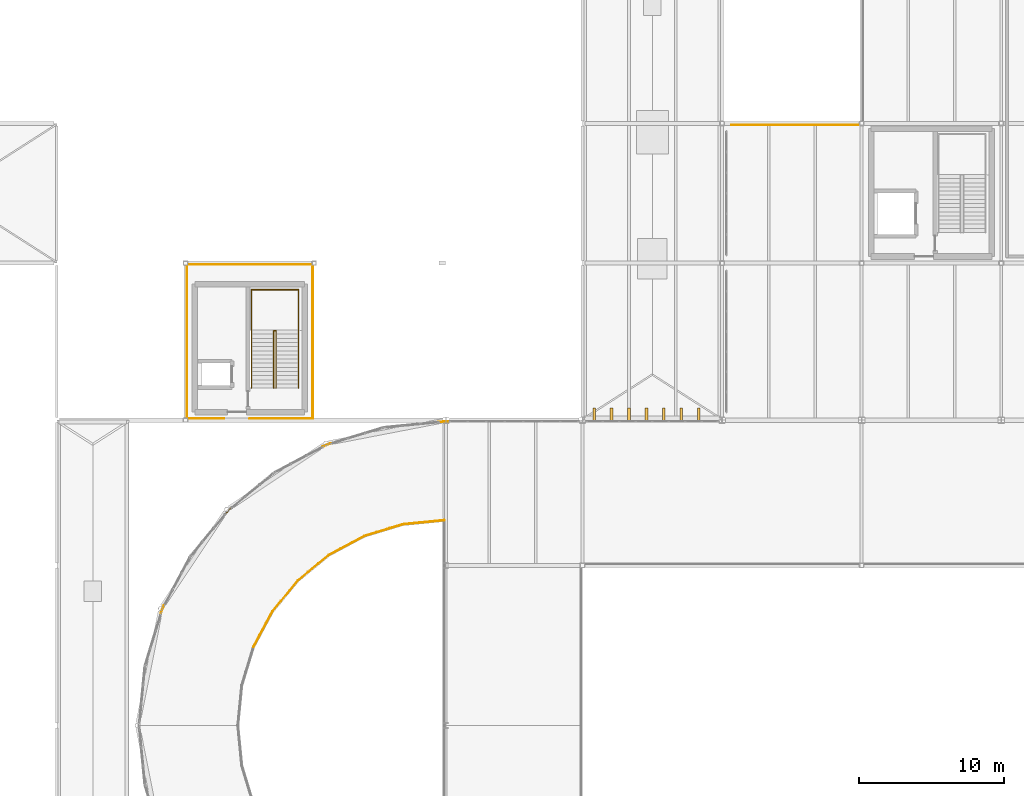
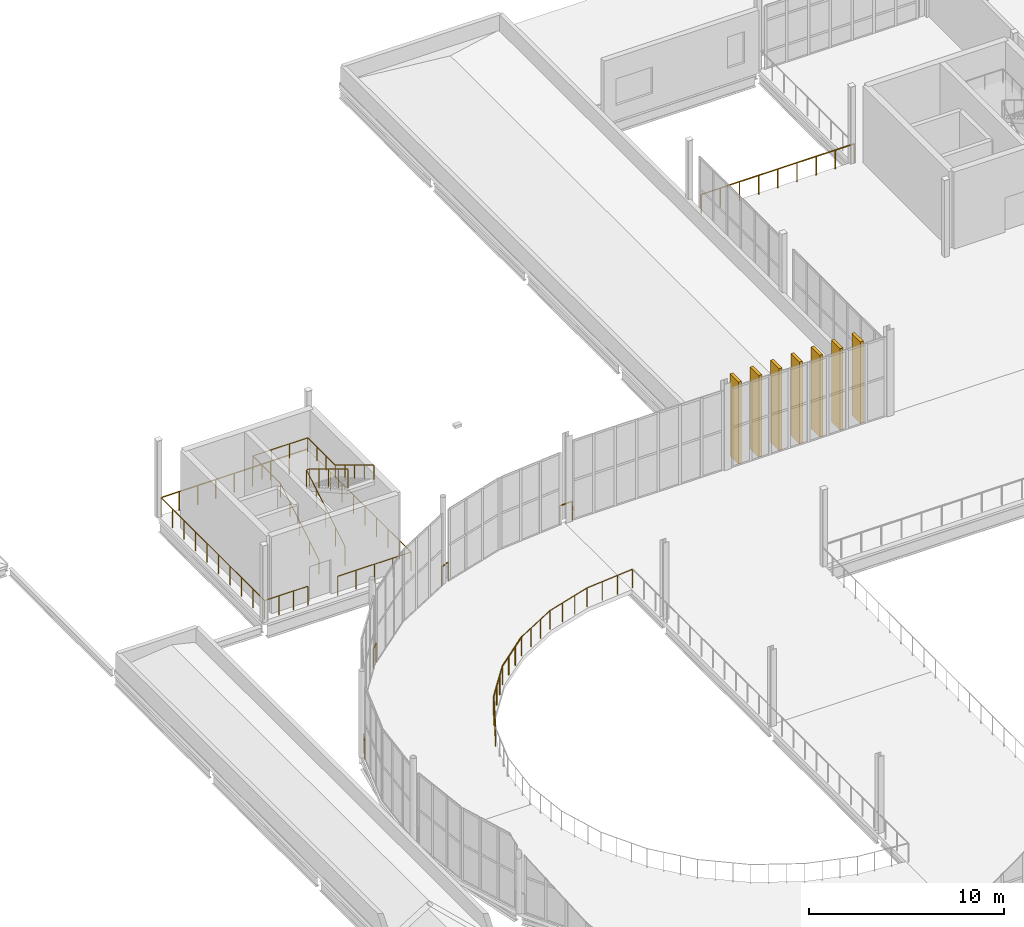
# One storey, part 107 of 112: 18 railings, 7 coverings.
"""IFC4 building model written with IfcOpenShell, lengths in metres."""

from ifc_helpers import new_model, si_unit, direction, frame, origin, origin_2d, place, context, subcontext, project, spatial, rectangle, circle, extrude, material, layer, layer_set, type_object, element, save


model = new_model("IFC4")

# Units and contexts
model_context = context("Model", 3, precision=1e-05, world=origin(), true_north=direction((0.0, 1.0)))
body_context = subcontext(model_context, "Body", "Model", "MODEL_VIEW")
ifc_project = project(units=[si_unit("LENGTHUNIT", "METRE"), si_unit("AREAUNIT", "SQUARE_METRE"), si_unit("VOLUMEUNIT", "CUBIC_METRE"), si_unit("PLANEANGLEUNIT", "RADIAN"), si_unit("MASSUNIT", "GRAM", prefix="KILO")], contexts=[model_context])

# Site, building, storey
site_placement = place(None, origin())
site = spatial("IfcSite", under=ifc_project, at=site_placement, CompositionType="ELEMENT")
building_placement = place(site_placement, origin())
building = spatial("IfcBuilding", under=site, at=building_placement, Name="Yeouljin Market Hall", CompositionType="ELEMENT")
storey_placement = place(building_placement, frame((0.0, 0.0, 6.0)))
storey = spatial("IfcBuildingStorey", under=building, at=storey_placement, Name="L01", CompositionType="ELEMENT", Elevation=6.0)

# Coverings
ifc_material_1 = material(Name="White Limestone and Bronze Solar Fin", Category="masonry")
ifc_layer = layer(ifc_material_1, 0.179931640625)
ifc_layer_set = layer_set([ifc_layer], Name="White Limestone and Bronze Solar Fin")
covering_type = type_object("IfcCoveringType", Name="Covering_Limestone_SolarFin", PredefinedType="CLADDING", material=ifc_layer_set)
for number, where, z_axis, x_axis, name in (
    (1, (45.800048828125, 78.39990234375, 0.009765625), (0.0, 0.0, 1.0), (1.0, 0.0, 0.0), "Hall north vertical lantern fin 018"),
    (2, (47.0, 78.39990234375, 0.009765625), (0.0, 0.0, 1.0), (1.0, 0.0, 0.0), "Hall north vertical lantern fin 019"),
    (3, (48.199951171875, 78.39990234375, 0.009765625), (0.0, 0.0, 1.0), (1.0, 0.0, 0.0), "Hall north vertical lantern fin 020"),
    (4, (49.39990234375, 78.39990234375, 0.009765625), (0.0, 0.0, 1.0), (1.0, 0.0, 0.0), "Hall north vertical lantern fin 021"),
    (5, (50.60009765625, 78.39990234375, 0.009765625), (0.0, 0.0, 1.0), (1.0, 0.0, 0.0), "Hall north vertical lantern fin 022"),
    (6, (51.800048828125, 78.39990234375, 0.009765625), (0.0, 0.0, 1.0), (1.0, 0.0, 0.0), "Hall north vertical lantern fin 023"),
    (7, (53.0, 78.39990234375, 0.009765625), (0.0, 0.0, 1.0), (1.0, 0.0, 0.0), "Hall north vertical lantern fin 024"),
):
    element("IfcCovering", number, at=place(storey_placement, frame(where, z_axis=z_axis, x_axis=x_axis)), inside=storey, type_object=covering_type, Name=name, PredefinedType="CLADDING", context=body_context, shape_type="SweptSolid", body=[
        extrude(rectangle(XDim=0.179931640625, YDim=0.8798828125, at=origin_2d()), origin(), (0.0, 0.0, 1.0), 5.110107421875),
    ])

# Railings
ifc_material_2 = material(Name="Wrought Iron and Bronze Gallery Balustrade")
railing_type_1 = type_object("IfcRailingType", Name="Railing_AtriumBalustrade_1200", PredefinedType="BALUSTRADE", material=ifc_material_2)
railing_1_placement = place(storey_placement, frame((16.009521484375, 64.72802734375, 0.0)))
element("IfcRailing", 8, at=railing_1_placement, inside=storey, type_object=railing_type_1, Name="Gallery & deck edge balustrade L01-069", PredefinedType="BALUSTRADE", context=body_context, shape_type="SweptSolid", body=[
    extrude(circle(Radius=0.02392578125, at=origin_2d()), frame((0.0, 0.0, 1.17578125), z_axis=(0.382390216249, 0.924000932097, 0.0), x_axis=(-0.924000932097, 0.382390216249, 0.0)), (0.0, 0.0, 1.0), 0.561279296875),
    extrude(circle(Radius=0.02099609375, at=origin_2d()), origin(), (0.0, 0.0, 1.0), 1.15185546875),
    extrude(circle(Radius=0.02099609375, at=origin_2d()), frame((0.214599609375, 0.5185546875, 0.0)), (0.0, 0.0, 1.0), 1.15185546875),
])
railing_2_placement = place(storey_placement, frame((20.443115234375, 71.560302734375, 0.0)))
element("IfcRailing", 9, at=railing_2_placement, inside=storey, type_object=railing_type_1, Name="Gallery & deck edge balustrade L01-070", PredefinedType="BALUSTRADE", context=body_context, shape_type="SweptSolid", body=[
    extrude(circle(Radius=0.02392578125, at=origin_2d()), frame((0.0, 0.0, 1.17578125), z_axis=(0.706889109421, 0.707324385966, 0.0), x_axis=(-0.707324385966, 0.706889109421, 0.0)), (0.0, 0.0, 1.0), 0.560791015625),
    extrude(circle(Radius=0.02099609375, at=origin_2d()), origin(), (0.0, 0.0, 1.0), 1.15185546875),
    extrude(circle(Radius=0.02099609375, at=origin_2d()), frame((0.396484375, 0.396728515625, 0.0)), (0.0, 0.0, 1.0), 1.15185546875),
])
railing_3_placement = place(storey_placement, frame((27.153564453125, 76.17578125, 0.0)))
element("IfcRailing", 10, at=railing_3_placement, inside=storey, type_object=railing_type_1, Name="Gallery & deck edge balustrade L01-071", PredefinedType="BALUSTRADE", context=body_context, shape_type="SweptSolid", body=[
    extrude(circle(Radius=0.02392578125, at=origin_2d()), frame((0.0, 0.0, 1.17578125), z_axis=(0.923937282838, 0.382543980977, 0.0), x_axis=(-0.382543980977, 0.923937282838, 0.0)), (0.0, 0.0, 1.0), 0.56103515625),
    extrude(circle(Radius=0.02099609375, at=origin_2d()), origin(), (0.0, 0.0, 1.0), 1.15185546875),
    extrude(circle(Radius=0.02099609375, at=origin_2d()), frame((0.518310546875, 0.214599609375, 0.0)), (0.0, 0.0, 1.0), 1.15185546875),
])
railing_4_placement = place(storey_placement, frame((35.119384765625, 77.871826171875, 0.0)))
element("IfcRailing", 11, at=railing_4_placement, inside=storey, type_object=railing_type_1, Name="Gallery & deck edge balustrade L01-072", PredefinedType="BALUSTRADE", context=body_context, shape_type="SweptSolid", body=[
    extrude(circle(Radius=0.02392578125, at=origin_2d()), frame((0.0, 0.0, 1.17578125), z_axis=(0.999262653359, 0.038394655909, 0.0), x_axis=(-0.038394655909, 0.999262653359, 0.0)), (0.0, 0.0, 1.0), 0.731201171875),
    extrude(circle(Radius=0.02099609375, at=origin_2d()), origin(), (0.0, 0.0, 1.0), 1.15185546875),
    extrude(circle(Radius=0.02099609375, at=origin_2d()), frame((0.730712890625, 0.028076171875, 0.0)), (0.0, 0.0, 1.0), 1.15185546875),
])
railing_5_placement = place(storey_placement, frame((55.25, 98.300048828125, 0.0)))
element("IfcRailing", 12, at=railing_5_placement, inside=storey, type_object=railing_type_1, Name="Gallery & deck edge balustrade L01-073", PredefinedType="BALUSTRADE", context=body_context, shape_type="SweptSolid", body=[
    extrude(circle(Radius=0.02392578125, at=origin_2d()), frame((0.0, 0.0, 1.17578125), z_axis=(1.0, 0.0, 0.0), x_axis=(0.0, 1.0, 0.0)), (0.0, 0.0, 1.0), 9.050048828125),
    extrude(circle(Radius=0.02099609375, at=origin_2d()), origin(), (0.0, 0.0, 1.0), 1.15185546875),
    extrude(circle(Radius=0.02099609375, at=origin_2d()), frame((1.13134765625, 0.0, 0.0)), (0.0, 0.0, 1.0), 1.15185546875),
    extrude(circle(Radius=0.02099609375, at=origin_2d()), frame((2.262451171875, 0.0, 0.0)), (0.0, 0.0, 1.0), 1.15185546875),
    extrude(circle(Radius=0.02099609375, at=origin_2d()), frame((3.393798828125, 0.0, 0.0)), (0.0, 0.0, 1.0), 1.15185546875),
    extrude(circle(Radius=0.02099609375, at=origin_2d()), frame((4.52490234375, 0.0, 0.0)), (0.0, 0.0, 1.0), 1.15185546875),
    extrude(circle(Radius=0.02099609375, at=origin_2d()), frame((5.65625, 0.0, 0.0)), (0.0, 0.0, 1.0), 1.15185546875),
    extrude(circle(Radius=0.02099609375, at=origin_2d()), frame((6.78759765625, 0.0, 0.0)), (0.0, 0.0, 1.0), 1.15185546875),
    extrude(circle(Radius=0.02099609375, at=origin_2d()), frame((7.918701171875, 0.0, 0.0)), (0.0, 0.0, 1.0), 1.15185546875),
    extrude(circle(Radius=0.02099609375, at=origin_2d()), frame((9.050048828125, 0.0, 0.0)), (0.0, 0.0, 1.0), 1.15185546875),
])
railing_6_placement = place(storey_placement, frame((35.5, 71.1103515625, 0.0)))
element("IfcRailing", 13, at=railing_6_placement, inside=storey, type_object=railing_type_1, Name="Gallery & deck edge balustrade L01-129", PredefinedType="BALUSTRADE", context=body_context, shape_type="SweptSolid", body=[
    extrude(circle(Radius=0.02392578125, at=origin_2d()), frame((0.0, 0.0, 1.17578125), z_axis=(-0.995185425945, -0.098010040236, 0.0), x_axis=(0.098010040236, -0.995185425945, 0.0)), (0.0, 0.0, 1.0), 2.864501953125),
    extrude(circle(Radius=0.02099609375, at=origin_2d()), origin(), (0.0, 0.0, 1.0), 1.15185546875),
    extrude(circle(Radius=0.02099609375, at=origin_2d()), frame((-0.9501953125, -0.093505859375, 0.0)), (0.0, 0.0, 1.0), 1.15185546875),
    extrude(circle(Radius=0.02099609375, at=origin_2d()), frame((-1.900634765625, -0.187255859375, 0.0)), (0.0, 0.0, 1.0), 1.15185546875),
    extrude(circle(Radius=0.02099609375, at=origin_2d()), frame((-2.850830078125, -0.28076171875, 0.0)), (0.0, 0.0, 1.0), 1.15185546875),
])
railing_7_placement = place(storey_placement, frame((32.649169921875, 70.82958984375, 0.0)))
element("IfcRailing", 14, at=railing_7_placement, inside=storey, type_object=railing_type_1, Name="Gallery & deck edge balustrade L01-130", PredefinedType="BALUSTRADE", context=body_context, shape_type="SweptSolid", body=[
    extrude(circle(Radius=0.02392578125, at=origin_2d()), frame((0.0, 0.0, 1.17578125), z_axis=(-0.956934479768, -0.29030398108, 0.0), x_axis=(0.29030398108, -0.956934479768, 0.0)), (0.0, 0.0, 1.0), 2.764404296875),
    extrude(circle(Radius=0.02099609375, at=origin_2d()), origin(), (0.0, 0.0, 1.0), 1.15185546875),
    extrude(circle(Radius=0.02099609375, at=origin_2d()), frame((-0.8818359375, -0.267578125, 0.0)), (0.0, 0.0, 1.0), 1.15185546875),
    extrude(circle(Radius=0.02099609375, at=origin_2d()), frame((-1.763427734375, -0.534912109375, 0.0)), (0.0, 0.0, 1.0), 1.15185546875),
    extrude(circle(Radius=0.02099609375, at=origin_2d()), frame((-2.645263671875, -0.802490234375, 0.0)), (0.0, 0.0, 1.0), 1.15185546875),
])
railing_8_placement = place(storey_placement, frame((30.00390625, 70.027099609375, 0.0)))
element("IfcRailing", 15, at=railing_8_placement, inside=storey, type_object=railing_type_1, Name="Gallery & deck edge balustrade L01-131", PredefinedType="BALUSTRADE", context=body_context, shape_type="SweptSolid", body=[
    extrude(circle(Radius=0.02392578125, at=origin_2d()), frame((0.0, 0.0, 1.17578125), z_axis=(-0.88192470469, -0.471390300343, 0.0), x_axis=(0.471390300343, -0.88192470469, 0.0)), (0.0, 0.0, 1.0), 2.76416015625),
    extrude(circle(Radius=0.02099609375, at=origin_2d()), origin(), (0.0, 0.0, 1.0), 1.15185546875),
    extrude(circle(Radius=0.02099609375, at=origin_2d()), frame((-0.8125, -0.434326171875, 0.0)), (0.0, 0.0, 1.0), 1.15185546875),
    extrude(circle(Radius=0.02099609375, at=origin_2d()), frame((-1.625244140625, -0.86865234375, 0.0)), (0.0, 0.0, 1.0), 1.15185546875),
    extrude(circle(Radius=0.02099609375, at=origin_2d()), frame((-2.437744140625, -1.302978515625, 0.0)), (0.0, 0.0, 1.0), 1.15185546875),
])
railing_9_placement = place(storey_placement, frame((27.566162109375, 68.72412109375, 0.0)))
element("IfcRailing", 16, at=railing_9_placement, inside=storey, type_object=railing_type_1, Name="Gallery & deck edge balustrade L01-132", PredefinedType="BALUSTRADE", context=body_context, shape_type="SweptSolid", body=[
    extrude(circle(Radius=0.02392578125, at=origin_2d()), frame((0.0, 0.0, 1.17578125), z_axis=(-0.773035608999, -0.634362630693, 0.0), x_axis=(0.634362630693, -0.773035608999, 0.0)), (0.0, 0.0, 1.0), 2.76416015625),
    extrude(circle(Radius=0.02099609375, at=origin_2d()), origin(), (0.0, 0.0, 1.0), 1.15185546875),
    extrude(circle(Radius=0.02099609375, at=origin_2d()), frame((-0.712158203125, -0.58447265625, 0.0)), (0.0, 0.0, 1.0), 1.15185546875),
    extrude(circle(Radius=0.02099609375, at=origin_2d()), frame((-1.424560546875, -1.1689453125, 0.0)), (0.0, 0.0, 1.0), 1.15185546875),
    extrude(circle(Radius=0.02099609375, at=origin_2d()), frame((-2.13671875, -1.75341796875, 0.0)), (0.0, 0.0, 1.0), 1.15185546875),
])
railing_10_placement = place(storey_placement, frame((25.429443359375, 66.970703125, 0.0)))
element("IfcRailing", 17, at=railing_10_placement, inside=storey, type_object=railing_type_1, Name="Gallery & deck edge balustrade L01-133", PredefinedType="BALUSTRADE", context=body_context, shape_type="SweptSolid", body=[
    extrude(circle(Radius=0.02392578125, at=origin_2d()), frame((0.0, 0.0, 1.17578125), z_axis=(-0.63437209802, -0.773027839896, 0.0), x_axis=(0.773027839896, -0.63437209802, 0.0)), (0.0, 0.0, 1.0), 2.764404296875),
    extrude(circle(Radius=0.02099609375, at=origin_2d()), origin(), (0.0, 0.0, 1.0), 1.15185546875),
    extrude(circle(Radius=0.02099609375, at=origin_2d()), frame((-0.58447265625, -0.71240234375, 0.0)), (0.0, 0.0, 1.0), 1.15185546875),
    extrude(circle(Radius=0.02099609375, at=origin_2d()), frame((-1.169189453125, -1.424560546875, 0.0)), (0.0, 0.0, 1.0), 1.15185546875),
    extrude(circle(Radius=0.02099609375, at=origin_2d()), frame((-1.753662109375, -2.136962890625, 0.0)), (0.0, 0.0, 1.0), 1.15185546875),
])
railing_11_placement = place(storey_placement, frame((23.67578125, 64.833740234375, 0.0)))
element("IfcRailing", 18, at=railing_11_placement, inside=storey, type_object=railing_type_1, Name="Gallery & deck edge balustrade L01-134", PredefinedType="BALUSTRADE", context=body_context, shape_type="SweptSolid", body=[
    extrude(circle(Radius=0.02392578125, at=origin_2d()), frame((0.0, 0.0, 1.17578125), z_axis=(-0.471390300343, -0.88192470469, 0.0), x_axis=(0.88192470469, -0.471390300343, 0.0)), (0.0, 0.0, 1.0), 2.76416015625),
    extrude(circle(Radius=0.02099609375, at=origin_2d()), origin(), (0.0, 0.0, 1.0), 1.15185546875),
    extrude(circle(Radius=0.02099609375, at=origin_2d()), frame((-0.434326171875, -0.8125, 0.0)), (0.0, 0.0, 1.0), 1.15185546875),
    extrude(circle(Radius=0.02099609375, at=origin_2d()), frame((-0.86865234375, -1.625244140625, 0.0)), (0.0, 0.0, 1.0), 1.15185546875),
    extrude(circle(Radius=0.02099609375, at=origin_2d()), frame((-1.302978515625, -2.437744140625, 0.0)), (0.0, 0.0, 1.0), 1.15185546875),
])
railing_12_placement = place(storey_placement, frame((17.800048828125, 88.699951171875, 0.0)))
element("IfcRailing", 19, at=railing_12_placement, inside=storey, type_object=railing_type_1, Name="Gallery & deck edge balustrade L01-151", PredefinedType="BALUSTRADE", context=body_context, shape_type="SweptSolid", body=[
    extrude(circle(Radius=0.02392578125, at=origin_2d()), frame((0.0, 0.0, 1.17578125), z_axis=(1.0, 0.0, 0.0), x_axis=(0.0, 1.0, 0.0)), (0.0, 0.0, 1.0), 8.64990234375),
    extrude(circle(Radius=0.02099609375, at=origin_2d()), origin(), (0.0, 0.0, 1.0), 1.15185546875),
    extrude(circle(Radius=0.02099609375, at=origin_2d()), frame((1.081298828125, 0.0, 0.0)), (0.0, 0.0, 1.0), 1.15185546875),
    extrude(circle(Radius=0.02099609375, at=origin_2d()), frame((2.16259765625, 0.0, 0.0)), (0.0, 0.0, 1.0), 1.15185546875),
    extrude(circle(Radius=0.02099609375, at=origin_2d()), frame((3.24365234375, 0.0, 0.0)), (0.0, 0.0, 1.0), 1.15185546875),
    extrude(circle(Radius=0.02099609375, at=origin_2d()), frame((4.324951171875, 0.0, 0.0)), (0.0, 0.0, 1.0), 1.15185546875),
    extrude(circle(Radius=0.02099609375, at=origin_2d()), frame((5.40625, 0.0, 0.0)), (0.0, 0.0, 1.0), 1.15185546875),
    extrude(circle(Radius=0.02099609375, at=origin_2d()), frame((6.4873046875, 0.0, 0.0)), (0.0, 0.0, 1.0), 1.15185546875),
    extrude(circle(Radius=0.02099609375, at=origin_2d()), frame((7.568603515625, 0.0, 0.0)), (0.0, 0.0, 1.0), 1.15185546875),
    extrude(circle(Radius=0.02099609375, at=origin_2d()), frame((8.64990234375, 0.0, 0.0)), (0.0, 0.0, 1.0), 1.15185546875),
])
railing_13_placement = place(storey_placement, frame((26.449951171875, 88.699951171875, 0.0)))
element("IfcRailing", 20, at=railing_13_placement, inside=storey, type_object=railing_type_1, Name="Gallery & deck edge balustrade L01-152", PredefinedType="BALUSTRADE", context=body_context, shape_type="SweptSolid", body=[
    extrude(circle(Radius=0.02392578125, at=origin_2d()), frame((0.0, 0.0, 1.17578125), z_axis=(0.0, -1.0, 0.0), x_axis=(1.0, 0.0, 0.0)), (0.0, 0.0, 1.0), 10.599853515625),
    extrude(circle(Radius=0.02099609375, at=origin_2d()), origin(), (0.0, 0.0, 1.0), 1.15185546875),
    extrude(circle(Radius=0.02099609375, at=origin_2d()), frame((0.0, -1.177734375, 0.0)), (0.0, 0.0, 1.0), 1.15185546875),
    extrude(circle(Radius=0.02099609375, at=origin_2d()), frame((0.0, -2.35546875, 0.0)), (0.0, 0.0, 1.0), 1.15185546875),
    extrude(circle(Radius=0.02099609375, at=origin_2d()), frame((0.0, -3.533203125, 0.0)), (0.0, 0.0, 1.0), 1.15185546875),
    extrude(circle(Radius=0.02099609375, at=origin_2d()), frame((0.0, -4.7109375, 0.0)), (0.0, 0.0, 1.0), 1.15185546875),
    extrude(circle(Radius=0.02099609375, at=origin_2d()), frame((0.0, -5.888916015625, 0.0)), (0.0, 0.0, 1.0), 1.15185546875),
    extrude(circle(Radius=0.02099609375, at=origin_2d()), frame((0.0, -7.066650390625, 0.0)), (0.0, 0.0, 1.0), 1.15185546875),
    extrude(circle(Radius=0.02099609375, at=origin_2d()), frame((0.0, -8.244384765625, 0.0)), (0.0, 0.0, 1.0), 1.15185546875),
    extrude(circle(Radius=0.02099609375, at=origin_2d()), frame((0.0, -9.422119140625, 0.0)), (0.0, 0.0, 1.0), 1.15185546875),
    extrude(circle(Radius=0.02099609375, at=origin_2d()), frame((0.0, -10.599853515625, 0.0)), (0.0, 0.0, 1.0), 1.15185546875),
])
railing_14_placement = place(storey_placement, frame((26.449951171875, 78.10009765625, 0.0)))
element("IfcRailing", 21, at=railing_14_placement, inside=storey, type_object=railing_type_1, Name="Gallery & deck edge balustrade L01-153", PredefinedType="BALUSTRADE", context=body_context, shape_type="SweptSolid", body=[
    extrude(circle(Radius=0.02392578125, at=origin_2d()), frame((0.0, 0.0, 1.17578125), z_axis=(-1.0, 0.0, 0.0), x_axis=(0.0, -1.0, 0.0)), (0.0, 0.0, 1.0), 4.328857421875),
    extrude(circle(Radius=0.02099609375, at=origin_2d()), origin(), (0.0, 0.0, 1.0), 1.15185546875),
    extrude(circle(Radius=0.02099609375, at=origin_2d()), frame((-1.082275390625, 0.0, 0.0)), (0.0, 0.0, 1.0), 1.15185546875),
    extrude(circle(Radius=0.02099609375, at=origin_2d()), frame((-2.16455078125, 0.0, 0.0)), (0.0, 0.0, 1.0), 1.15185546875),
    extrude(circle(Radius=0.02099609375, at=origin_2d()), frame((-3.24658203125, 0.0, 0.0)), (0.0, 0.0, 1.0), 1.15185546875),
    extrude(circle(Radius=0.02099609375, at=origin_2d()), frame((-4.328857421875, 0.0, 0.0)), (0.0, 0.0, 1.0), 1.15185546875),
])
railing_15_placement = place(storey_placement, frame((20.35888671875, 78.10009765625, 0.0)))
element("IfcRailing", 22, at=railing_15_placement, inside=storey, type_object=railing_type_1, Name="Gallery & deck edge balustrade L01-154", PredefinedType="BALUSTRADE", context=body_context, shape_type="SweptSolid", body=[
    extrude(circle(Radius=0.02392578125, at=origin_2d()), frame((0.0, 0.0, 1.17578125), z_axis=(-1.0, 0.0, 0.0), x_axis=(0.0, -1.0, 0.0)), (0.0, 0.0, 1.0), 2.558837890625),
    extrude(circle(Radius=0.02099609375, at=origin_2d()), origin(), (0.0, 0.0, 1.0), 1.15185546875),
    extrude(circle(Radius=0.02099609375, at=origin_2d()), frame((-0.85302734375, 0.0, 0.0)), (0.0, 0.0, 1.0), 1.15185546875),
    extrude(circle(Radius=0.02099609375, at=origin_2d()), frame((-1.705810546875, 0.0, 0.0)), (0.0, 0.0, 1.0), 1.15185546875),
    extrude(circle(Radius=0.02099609375, at=origin_2d()), frame((-2.558837890625, 0.0, 0.0)), (0.0, 0.0, 1.0), 1.15185546875),
])
railing_16_placement = place(storey_placement, frame((17.800048828125, 78.10009765625, 0.0)))
element("IfcRailing", 23, at=railing_16_placement, inside=storey, type_object=railing_type_1, Name="Gallery & deck edge balustrade L01-155", PredefinedType="BALUSTRADE", context=body_context, shape_type="SweptSolid", body=[
    extrude(circle(Radius=0.02392578125, at=origin_2d()), frame((0.0, 0.0, 1.17578125), z_axis=(0.0, 1.0, 0.0), x_axis=(-1.0, 0.0, 0.0)), (0.0, 0.0, 1.0), 10.599853515625),
    extrude(circle(Radius=0.02099609375, at=origin_2d()), origin(), (0.0, 0.0, 1.0), 1.15185546875),
    extrude(circle(Radius=0.02099609375, at=origin_2d()), frame((0.0, 1.177734375, 0.0)), (0.0, 0.0, 1.0), 1.15185546875),
    extrude(circle(Radius=0.02099609375, at=origin_2d()), frame((0.0, 2.35546875, 0.0)), (0.0, 0.0, 1.0), 1.15185546875),
    extrude(circle(Radius=0.02099609375, at=origin_2d()), frame((0.0, 3.533203125, 0.0)), (0.0, 0.0, 1.0), 1.15185546875),
    extrude(circle(Radius=0.02099609375, at=origin_2d()), frame((0.0, 4.7109375, 0.0)), (0.0, 0.0, 1.0), 1.15185546875),
    extrude(circle(Radius=0.02099609375, at=origin_2d()), frame((0.0, 5.888916015625, 0.0)), (0.0, 0.0, 1.0), 1.15185546875),
    extrude(circle(Radius=0.02099609375, at=origin_2d()), frame((0.0, 7.066650390625, 0.0)), (0.0, 0.0, 1.0), 1.15185546875),
    extrude(circle(Radius=0.02099609375, at=origin_2d()), frame((0.0, 8.244384765625, 0.0)), (0.0, 0.0, 1.0), 1.15185546875),
    extrude(circle(Radius=0.02099609375, at=origin_2d()), frame((0.0, 9.422119140625, 0.0)), (0.0, 0.0, 1.0), 1.15185546875),
    extrude(circle(Radius=0.02099609375, at=origin_2d()), frame((0.0, 10.599853515625, 0.0)), (0.0, 0.0, 1.0), 1.15185546875),
])
ifc_material_3 = material(Name="Painted Steel Stair Guardrail", Category="steel")
railing_type_2 = type_object("IfcRailingType", Name="Railing_StairGuard_1200", PredefinedType="GUARDRAIL", material=ifc_material_3)
railing_17_placement = place(storey_placement, frame((23.77001953125, 80.199951171875, 0.0)))
element("IfcRailing", 24, at=railing_17_placement, inside=storey, type_object=railing_type_2, Name="Stair ST-C2-L01 inner well guardrail", PredefinedType="GUARDRAIL", context=body_context, shape_type="SweptSolid", body=[
    extrude(circle(Radius=0.02392578125, at=origin_2d()), frame((0.0, 0.0, 1.17578125), z_axis=(0.0, 0.854622603422, 0.519249656446), x_axis=(-1.0, 0.0, 0.0)), (0.0, 0.0, 1.0), 4.621826171875),
    extrude(circle(Radius=0.02392578125, at=origin_2d()), frame((0.0, 3.949951171875, 3.57568359375), z_axis=(1.0, 0.0, 0.0), x_axis=(0.0, 1.0, 0.0)), (0.0, 0.0, 1.0), 0.159912109375),
    extrude(circle(Radius=0.02392578125, at=origin_2d()), frame((0.159912109375, 3.949951171875, 3.57568359375), z_axis=(0.0, -0.854599162348, 0.519288235679), x_axis=(1.0, 0.0, 0.0)), (0.0, 0.0, 1.0), 4.6220703125),
    extrude(circle(Radius=0.02099609375, at=origin_2d()), origin(), (0.0, 0.0, 1.0), 1.15185546875),
    extrude(circle(Radius=0.02099609375, at=origin_2d()), frame((0.0, 0.987548828125, 0.60009765625)), (0.0, 0.0, 1.0), 1.15185546875),
    extrude(circle(Radius=0.02099609375, at=origin_2d()), frame((0.0, 1.97509765625, 1.199951171875)), (0.0, 0.0, 1.0), 1.15185546875),
    extrude(circle(Radius=0.02099609375, at=origin_2d()), frame((0.0, 2.96240234375, 1.7998046875)), (0.0, 0.0, 1.0), 1.15185546875),
    extrude(circle(Radius=0.02099609375, at=origin_2d()), frame((0.0, 3.949951171875, 2.39990234375)), (0.0, 0.0, 1.0), 1.15185546875),
    extrude(circle(Radius=0.02099609375, at=origin_2d()), frame((0.159912109375, 3.949951171875, 2.39990234375)), (0.0, 0.0, 1.0), 1.15185546875),
    extrude(circle(Radius=0.02099609375, at=origin_2d()), frame((0.159912109375, 2.96240234375, 3.0)), (0.0, 0.0, 1.0), 1.15185546875),
    extrude(circle(Radius=0.02099609375, at=origin_2d()), frame((0.159912109375, 1.97509765625, 3.60009765625)), (0.0, 0.0, 1.0), 1.15185546875),
    extrude(circle(Radius=0.02099609375, at=origin_2d()), frame((0.159912109375, 0.987548828125, 4.199951171875)), (0.0, 0.0, 1.0), 1.15185546875),
    extrude(circle(Radius=0.02099609375, at=origin_2d()), frame((0.159912109375, 0.0, 4.800048828125)), (0.0, 0.0, 1.0), 1.15185546875),
])
ifc_material_4 = material(Name="Brushed Stainless Steel", Category="steel")
railing_type_3 = type_object("IfcRailingType", Name="Railing_StairHandrail_900", PredefinedType="HANDRAIL", material=ifc_material_4)
railing_18_placement = place(storey_placement, frame((22.22998046875, 80.199951171875, 0.0)))
element("IfcRailing", 25, at=railing_18_placement, inside=storey, type_object=railing_type_3, Name="Stair ST-C2-L01 wall handrail", PredefinedType="HANDRAIL", context=body_context, shape_type="SweptSolid", body=[
    extrude(circle(Radius=0.02392578125, at=origin_2d()), frame((0.0, 0.0, 0.8759765625), z_axis=(0.0, 0.854622603422, 0.519249656446), x_axis=(-1.0, 0.0, 0.0)), (0.0, 0.0, 1.0), 4.621826171875),
    extrude(circle(Radius=0.02392578125, at=origin_2d()), frame((0.0, 3.949951171875, 3.27587890625), z_axis=(0.0, 1.0, 0.0), x_axis=(-1.0, 0.0, 0.0)), (0.0, 0.0, 1.0), 2.820068359375),
    extrude(circle(Radius=0.02392578125, at=origin_2d()), frame((0.0, 6.77001953125, 3.27587890625), z_axis=(1.0, 0.0, 0.0), x_axis=(0.0, 1.0, 0.0)), (0.0, 0.0, 1.0), 3.239990234375),
    extrude(circle(Radius=0.02392578125, at=origin_2d()), frame((3.239990234375, 6.77001953125, 3.27587890625), z_axis=(0.0, -1.0, 0.0), x_axis=(1.0, 0.0, 0.0)), (0.0, 0.0, 1.0), 2.820068359375),
    extrude(circle(Radius=0.02392578125, at=origin_2d()), frame((3.239990234375, 3.949951171875, 3.27587890625), z_axis=(0.0, -0.854599162348, 0.519288235679), x_axis=(1.0, 0.0, 0.0)), (0.0, 0.0, 1.0), 4.6220703125),
    extrude(circle(Radius=0.02099609375, at=origin_2d()), origin(), (0.0, 0.0, 1.0), 0.851806640625),
    extrude(circle(Radius=0.02099609375, at=origin_2d()), frame((0.0, 0.987548828125, 0.60009765625)), (0.0, 0.0, 1.0), 0.851806640625),
    extrude(circle(Radius=0.02099609375, at=origin_2d()), frame((0.0, 1.97509765625, 1.199951171875)), (0.0, 0.0, 1.0), 0.851806640625),
    extrude(circle(Radius=0.02099609375, at=origin_2d()), frame((0.0, 2.96240234375, 1.7998046875)), (0.0, 0.0, 1.0), 0.851806640625),
    extrude(circle(Radius=0.02099609375, at=origin_2d()), frame((0.0, 3.949951171875, 2.39990234375)), (0.0, 0.0, 1.0), 0.851806640625),
    extrude(circle(Radius=0.02099609375, at=origin_2d()), frame((0.0, 4.889892578125, 2.39990234375)), (0.0, 0.0, 1.0), 0.851806640625),
    extrude(circle(Radius=0.02099609375, at=origin_2d()), frame((0.0, 5.830078125, 2.39990234375)), (0.0, 0.0, 1.0), 0.851806640625),
    extrude(circle(Radius=0.02099609375, at=origin_2d()), frame((0.0, 6.77001953125, 2.39990234375)), (0.0, 0.0, 1.0), 0.851806640625),
    extrude(circle(Radius=0.02099609375, at=origin_2d()), frame((1.080078125, 6.77001953125, 2.39990234375)), (0.0, 0.0, 1.0), 0.851806640625),
    extrude(circle(Radius=0.02099609375, at=origin_2d()), frame((2.159912109375, 6.77001953125, 2.39990234375)), (0.0, 0.0, 1.0), 0.851806640625),
    extrude(circle(Radius=0.02099609375, at=origin_2d()), frame((3.239990234375, 6.77001953125, 2.39990234375)), (0.0, 0.0, 1.0), 0.851806640625),
    extrude(circle(Radius=0.02099609375, at=origin_2d()), frame((3.239990234375, 5.830078125, 2.39990234375)), (0.0, 0.0, 1.0), 0.851806640625),
    extrude(circle(Radius=0.02099609375, at=origin_2d()), frame((3.239990234375, 4.889892578125, 2.39990234375)), (0.0, 0.0, 1.0), 0.851806640625),
    extrude(circle(Radius=0.02099609375, at=origin_2d()), frame((3.239990234375, 3.949951171875, 2.39990234375)), (0.0, 0.0, 1.0), 0.851806640625),
    extrude(circle(Radius=0.02099609375, at=origin_2d()), frame((3.239990234375, 2.96240234375, 3.0)), (0.0, 0.0, 1.0), 0.851806640625),
    extrude(circle(Radius=0.02099609375, at=origin_2d()), frame((3.239990234375, 1.97509765625, 3.60009765625)), (0.0, 0.0, 1.0), 0.851806640625),
    extrude(circle(Radius=0.02099609375, at=origin_2d()), frame((3.239990234375, 0.987548828125, 4.199951171875)), (0.0, 0.0, 1.0), 0.851806640625),
    extrude(circle(Radius=0.02099609375, at=origin_2d()), frame((3.239990234375, 0.0, 4.800048828125)), (0.0, 0.0, 1.0), 0.851806640625),
])

save(model, "model.ifc")
